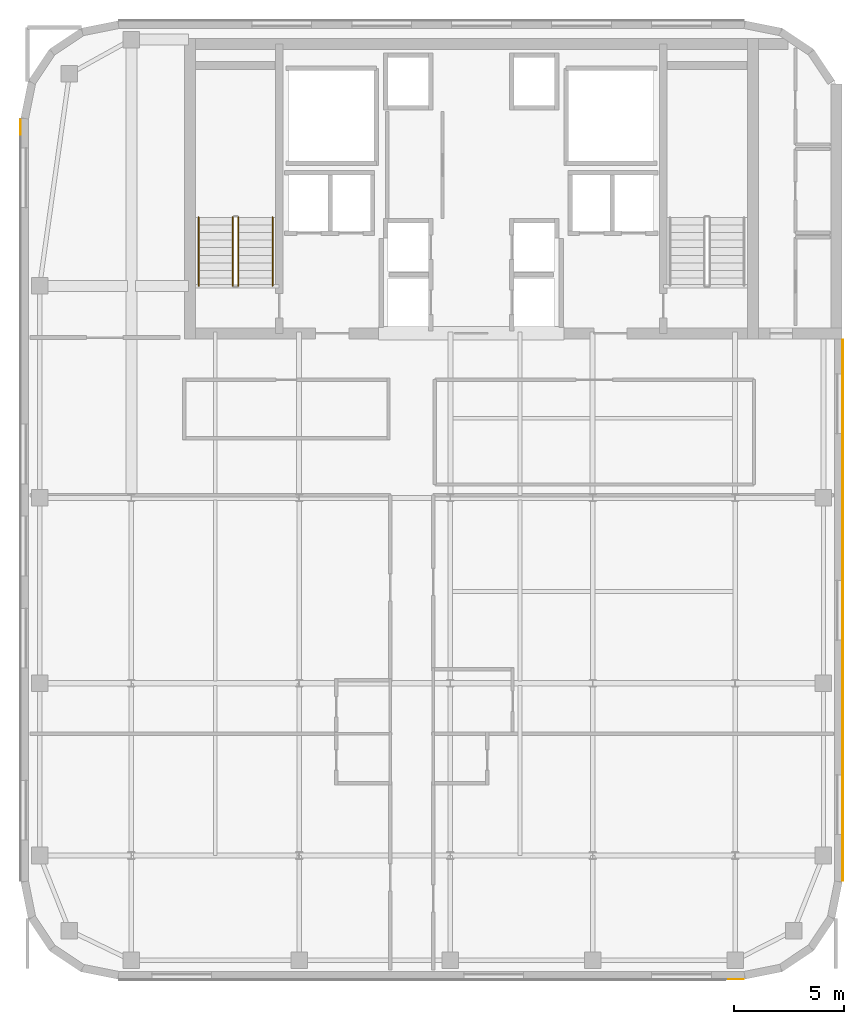
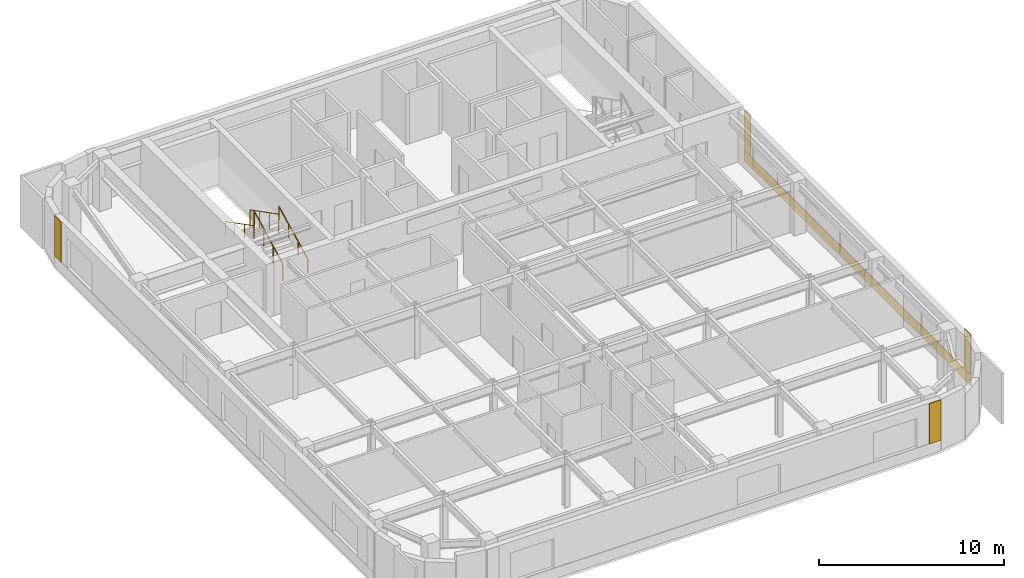
# One storey, part 9 of 10: 5 coverings, 4 railings.
"""IFC4 building model written with IfcOpenShell, lengths in metres."""

from ifc_helpers import new_model, si_unit, direction, frame, origin, origin_2d, place, context, subcontext, project, spatial, polyline, circle, outline, extrude, material, layer, layer_set, type_object, element, save


model = new_model("IFC4")

# Units and contexts
model_context = context("Model", 3, precision=1e-05, world=origin(), true_north=direction((0.0, 1.0)))
body_context = subcontext(model_context, "Body", "Model", "MODEL_VIEW")
ifc_project = project(units=[si_unit("LENGTHUNIT", "METRE"), si_unit("AREAUNIT", "SQUARE_METRE"), si_unit("VOLUMEUNIT", "CUBIC_METRE"), si_unit("PLANEANGLEUNIT", "RADIAN"), si_unit("MASSUNIT", "GRAM", prefix="KILO")], contexts=[model_context])

# Site, building, storey
site_placement = place(None, origin())
site = spatial("IfcSite", under=ifc_project, at=site_placement, CompositionType="ELEMENT")
building_placement = place(site_placement, origin())
building = spatial("IfcBuilding", under=site, at=building_placement, Name="Tolvann Quenvar Hotel", CompositionType="ELEMENT")
storey_placement = place(building_placement, frame((0.0, 0.0, 220.35009765625)))
storey = spatial("IfcBuildingStorey", under=building, at=storey_placement, Name="L58", CompositionType="ELEMENT", Elevation=220.35009765625)

# Coverings
ifc_material_1 = material(Name="Kiln-fired red architectural face brick cladding", Category="masonry")
ifc_layer_1 = layer(ifc_material_1, 0.0400390625)
ifc_layer_set_1 = layer_set([ifc_layer_1], Name="Kiln-fired red architectural face brick cladding")
covering_type_1 = type_object("IfcCoveringType", Name="COV_CLAD_BRICK_40", PredefinedType="CLADDING", material=ifc_layer_set_1)
covering_1_placement = place(storey_placement, frame((0.0, 0.0, 0.699951171875)))
element("IfcCovering", 1, at=covering_1_placement, inside=storey, type_object=covering_type_1, Name="Brick Pier Cladding (L58-E04-P2)", PredefinedType="CLADDING", context=body_context, shape_type="SweptSolid", body=[
    extrude(outline(polyline([(34.6328125, 2.60009765625), (35.332763671875, 2.60009765625), (35.332763671875, 2.56005859375), (34.6328125, 2.56005859375), (34.6328125, 2.60009765625)])), origin(), (0.0, 0.0, 1.0), 2.669921875),
])
covering_2_placement = place(storey_placement, frame((0.0, 0.0, 0.699951171875)))
element("IfcCovering", 2, at=covering_2_placement, inside=storey, type_object=covering_type_1, Name="Brick Pier Cladding (L58-E09-P1)", PredefinedType="CLADDING", context=body_context, shape_type="SweptSolid", body=[
    extrude(outline(polyline([(39.800048828125, 7.067138671875), (39.800048828125, 7.76708984375), (39.840087890625, 7.76708984375), (39.840087890625, 7.067138671875), (39.800048828125, 7.067138671875)])), origin(), (0.0, 0.0, 1.0), 2.669921875),
])
covering_3_placement = place(storey_placement, frame((0.0, 0.0, 0.699951171875)))
element("IfcCovering", 3, at=covering_3_placement, inside=storey, type_object=covering_type_1, Name="Brick Pier Cladding (L58-E09-P2)", PredefinedType="CLADDING", context=body_context, shape_type="SweptSolid", body=[
    extrude(outline(polyline([(39.800048828125, 30.845947265625), (39.800048828125, 31.5458984375), (39.840087890625, 31.5458984375), (39.840087890625, 30.845947265625), (39.800048828125, 30.845947265625)])), origin(), (0.0, 0.0, 1.0), 2.669921875),
])
covering_4_placement = place(storey_placement, frame((0.0, 0.0, 0.699951171875)))
element("IfcCovering", 4, at=covering_4_placement, inside=storey, type_object=covering_type_1, Name="Brick Pier Cladding (L58-E19-P1)", PredefinedType="CLADDING", context=body_context, shape_type="SweptSolid", body=[
    extrude(outline(polyline([(2.60009765625, 41.53271484375), (2.60009765625, 40.832763671875), (2.56005859375, 40.832763671875), (2.56005859375, 41.53271484375), (2.60009765625, 41.53271484375)])), origin(), (0.0, 0.0, 1.0), 2.669921875),
])
ifc_material_2 = material(Name="Moulded buff architectural terracotta spandrel cladding", Category="masonry")
ifc_layer_2 = layer(ifc_material_2, 0.0400390625)
ifc_layer_set_2 = layer_set([ifc_layer_2], Name="Moulded buff architectural terracotta spandrel cladding")
covering_type_2 = type_object("IfcCoveringType", Name="COV_CLAD_TERRA_40", PredefinedType="CLADDING", material=ifc_layer_set_2)
covering_5_placement = place(storey_placement, origin())
element("IfcCovering", 5, at=covering_5_placement, inside=storey, type_object=covering_type_2, Name="Terracotta Spandrel Cladding (L58-E09)", PredefinedType="CLADDING", context=body_context, shape_type="SweptSolid", body=[
    extrude(outline(polyline([(39.800048828125, 7.05712890625), (39.800048828125, 31.555908203125), (39.840087890625, 31.555908203125), (39.840087890625, 7.05712890625), (39.800048828125, 7.05712890625)])), origin(), (0.0, 0.0, 1.0), 0.699951171875),
])

# Railings
ifc_material_3 = material(Name="Brushed 316 stainless steel balustrade and handrail", Category="steel")
railing_type_1 = type_object("IfcRailingType", Name="GUARDRAIL", PredefinedType="GUARDRAIL", material=ifc_material_3)
railing_1_placement = place(storey_placement, frame((12.449951171875, 34.0, 0.177490234375)))
element("IfcRailing", 6, at=railing_1_placement, inside=storey, type_object=railing_type_1, Name="L58 ST-C1 stair guard 1", PredefinedType="GUARDRAIL", context=body_context, shape_type="SweptSolid", body=[
    extrude(circle(Radius=0.02392578125, at=origin_2d()), frame((0.0, 0.0, 1.09619140625), z_axis=(0.0, 0.889221982265, 0.45747597342), x_axis=(-1.0, 0.0, 0.0)), (0.0, 0.0, 1.0), 3.49169921875),
    extrude(circle(Radius=0.02099609375, at=origin_2d()), origin(), (0.0, 0.0, 1.0), 1.072021484375),
    extrude(circle(Radius=0.02099609375, at=origin_2d()), frame((0.0, 1.034912109375, 0.532470703125)), (0.0, 0.0, 1.0), 1.072021484375),
    extrude(circle(Radius=0.02099609375, at=origin_2d()), frame((0.0, 2.070068359375, 1.06494140625)), (0.0, 0.0, 1.0), 1.072021484375),
    extrude(circle(Radius=0.02099609375, at=origin_2d()), frame((0.0, 3.10498046875, 1.597412109375)), (0.0, 0.0, 1.0), 1.072021484375),
])
railing_2_placement = place(storey_placement, frame((12.199951171875, 37.10498046875, 1.952392578125)))
element("IfcRailing", 7, at=railing_2_placement, inside=storey, type_object=railing_type_1, Name="L58 ST-C1 stair guard 3", PredefinedType="GUARDRAIL", context=body_context, shape_type="SweptSolid", body=[
    extrude(circle(Radius=0.02392578125, at=origin_2d()), frame((0.0, 0.0, 1.09619140625), z_axis=(0.0, -0.889221982265, 0.45747597342), x_axis=(1.0, 0.0, 0.0)), (0.0, 0.0, 1.0), 3.49169921875),
    extrude(circle(Radius=0.02099609375, at=origin_2d()), origin(), (0.0, 0.0, 1.0), 1.072021484375),
    extrude(circle(Radius=0.02099609375, at=origin_2d()), frame((0.0, -1.034912109375, 0.532470703125)), (0.0, 0.0, 1.0), 1.072021484375),
    extrude(circle(Radius=0.02099609375, at=origin_2d()), frame((0.0, -2.070068359375, 1.06494140625)), (0.0, 0.0, 1.0), 1.072021484375),
    extrude(circle(Radius=0.02099609375, at=origin_2d()), frame((0.0, -3.10498046875, 1.597412109375)), (0.0, 0.0, 1.0), 1.072021484375),
])
railing_type_2 = type_object("IfcRailingType", Name="HANDRAIL", PredefinedType="HANDRAIL", material=ifc_material_3)
railing_3_placement = place(storey_placement, frame((14.0, 34.0, 0.177490234375)))
element("IfcRailing", 8, at=railing_3_placement, inside=storey, type_object=railing_type_2, Name="L58 ST-C1 stair handrail 1", PredefinedType="HANDRAIL", context=body_context, shape_type="SweptSolid", body=[
    extrude(circle(Radius=0.02392578125, at=origin_2d()), frame((0.0, 0.0, 0.8759765625), z_axis=(0.0, 0.889221982265, 0.45747597342), x_axis=(-1.0, 0.0, 0.0)), (0.0, 0.0, 1.0), 3.49169921875),
    extrude(circle(Radius=0.02099609375, at=origin_2d()), origin(), (0.0, 0.0, 1.0), 0.851806640625),
    extrude(circle(Radius=0.02099609375, at=origin_2d()), frame((0.0, 1.034912109375, 0.532470703125)), (0.0, 0.0, 1.0), 0.851806640625),
    extrude(circle(Radius=0.02099609375, at=origin_2d()), frame((0.0, 2.070068359375, 1.06494140625)), (0.0, 0.0, 1.0), 0.851806640625),
    extrude(circle(Radius=0.02099609375, at=origin_2d()), frame((0.0, 3.10498046875, 1.597412109375)), (0.0, 0.0, 1.0), 0.851806640625),
])
railing_4_placement = place(storey_placement, frame((10.64990234375, 37.10498046875, 1.952392578125)))
element("IfcRailing", 9, at=railing_4_placement, inside=storey, type_object=railing_type_2, Name="L58 ST-C1 stair handrail 2", PredefinedType="HANDRAIL", context=body_context, shape_type="SweptSolid", body=[
    extrude(circle(Radius=0.02392578125, at=origin_2d()), frame((0.0, 0.0, 0.8759765625), z_axis=(0.0, -0.889221982265, 0.45747597342), x_axis=(1.0, 0.0, 0.0)), (0.0, 0.0, 1.0), 3.49169921875),
    extrude(circle(Radius=0.02099609375, at=origin_2d()), origin(), (0.0, 0.0, 1.0), 0.851806640625),
    extrude(circle(Radius=0.02099609375, at=origin_2d()), frame((0.0, -1.034912109375, 0.532470703125)), (0.0, 0.0, 1.0), 0.851806640625),
    extrude(circle(Radius=0.02099609375, at=origin_2d()), frame((0.0, -2.070068359375, 1.06494140625)), (0.0, 0.0, 1.0), 0.851806640625),
    extrude(circle(Radius=0.02099609375, at=origin_2d()), frame((0.0, -3.10498046875, 1.597412109375)), (0.0, 0.0, 1.0), 0.851806640625),
])

save(model, "model.ifc")
